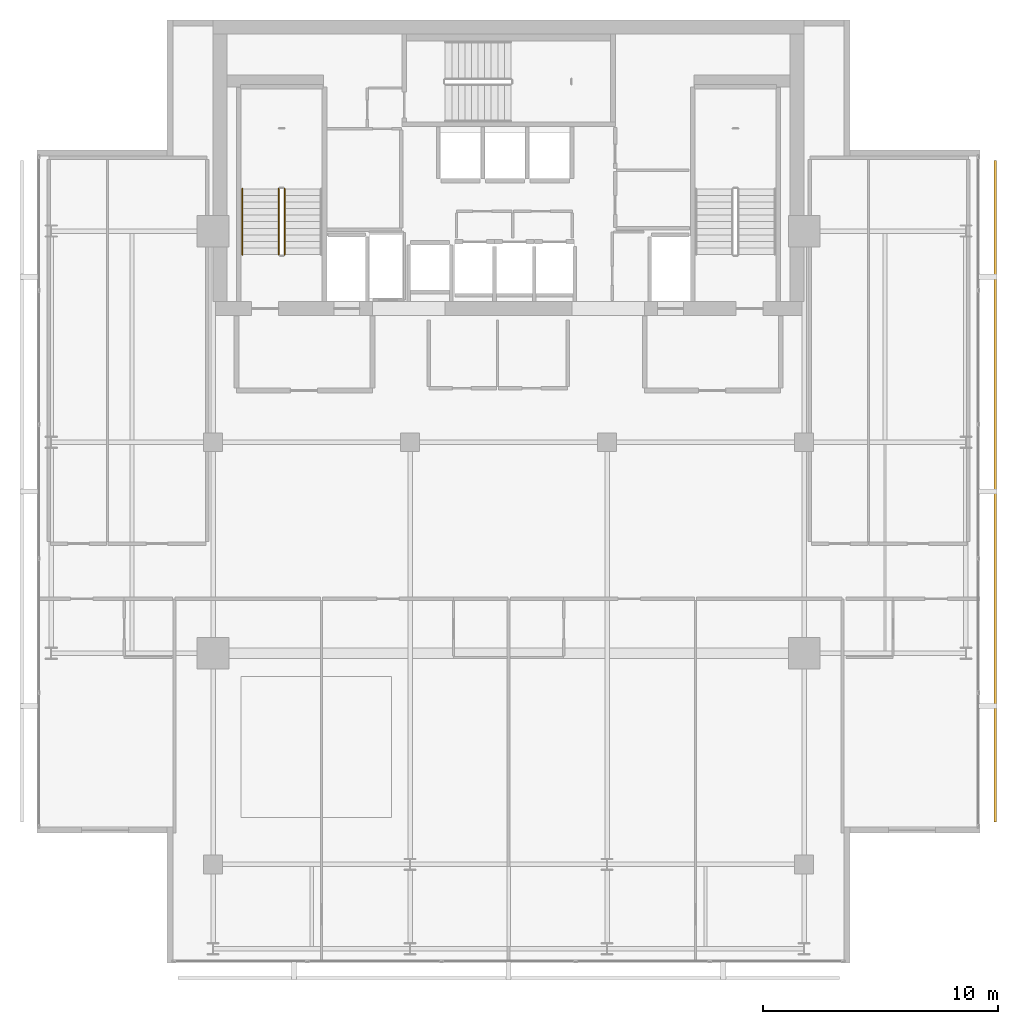
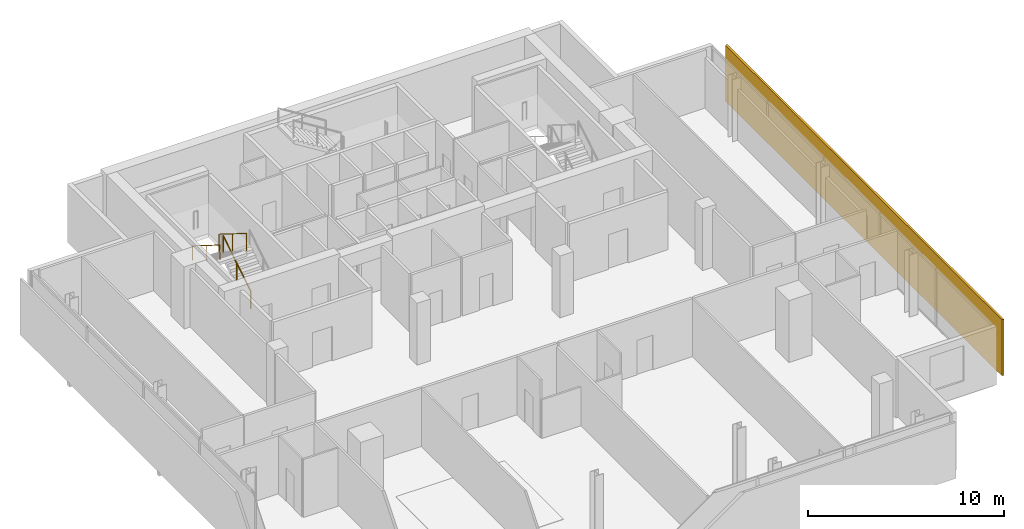
# One storey, part 22 of 23: 3 railings, 1 shading device.
"""IFC4 building model written with IfcOpenShell, lengths in metres."""

from ifc_helpers import new_model, si_unit, direction, frame, origin, origin_2d, place, context, subcontext, project, spatial, rectangle, circle, extrude, material, layer, layer_set, type_object, element, save


model = new_model("IFC4")

# Units and contexts
model_context = context("Model", 3, precision=1e-05, world=origin(), true_north=direction((0.0, 1.0)))
body_context = subcontext(model_context, "Body", "Model", "MODEL_VIEW")
ifc_project = project(units=[si_unit("LENGTHUNIT", "METRE"), si_unit("AREAUNIT", "SQUARE_METRE"), si_unit("VOLUMEUNIT", "CUBIC_METRE"), si_unit("PLANEANGLEUNIT", "RADIAN"), si_unit("MASSUNIT", "GRAM", prefix="KILO")], contexts=[model_context])

# Site, building, storey
site_placement = place(None, origin())
site = spatial("IfcSite", under=ifc_project, at=site_placement, CompositionType="ELEMENT")
building_placement = place(site_placement, origin())
building = spatial("IfcBuilding", under=site, at=building_placement, Name="Maruvema Waterfront Hotel and Observation Tower", CompositionType="ELEMENT")
storey_placement = place(building_placement, frame((0.0, 0.0, 337.39990234375)))
storey = spatial("IfcBuildingStorey", under=building, at=storey_placement, Name="L83", CompositionType="ELEMENT", Elevation=337.39990234375)

# Railings
ifc_material_1 = material(Name="Brushed stainless steel Grade 316", Category="steel")
railing_type_1 = type_object("IfcRailingType", Name="Ramp Continuous Wall Handrail 920 mm", PredefinedType="HANDRAIL", material=ifc_material_1)
railing_1_placement = place(storey_placement, frame((26.449951171875, 46.800048828125, 2.10009765625)))
element("IfcRailing", 1, at=railing_1_placement, inside=storey, type_object=railing_type_1, Name="L83 ST-01 stair handrail 2", PredefinedType="HANDRAIL", context=body_context, shape_type="SweptSolid", body=[
    extrude(circle(Radius=0.02392578125, at=origin_2d()), frame((0.0, 0.0, 0.89599609375), z_axis=(0.0, -0.848002457836, 0.529992293815), x_axis=(1.0, 0.0, 0.0)), (0.0, 0.0, 1.0), 3.302001953125),
    extrude(circle(Radius=0.02099609375, at=origin_2d()), origin(), (0.0, 0.0, 1.0), 0.871826171875),
    extrude(circle(Radius=0.02099609375, at=origin_2d()), frame((0.0, -1.39990234375, 0.875)), (0.0, 0.0, 1.0), 0.871826171875),
    extrude(circle(Radius=0.02099609375, at=origin_2d()), frame((0.0, -2.800048828125, 1.75)), (0.0, 0.0, 1.0), 0.871826171875),
])
ifc_material_2 = material(Name="Brushed stainless steel Grade 316", Category="steel")
railing_type_2 = type_object("IfcRailingType", Name="Ramp and Terrace Guard Balustrade 1100 mm", PredefinedType="BALUSTRADE", material=ifc_material_2)
railing_2_placement = place(storey_placement, frame((28.25, 44.0, 0.175048828125)))
element("IfcRailing", 2, at=railing_2_placement, inside=storey, type_object=railing_type_2, Name="L83 ST-01 stair guard 1", PredefinedType="BALUSTRADE", context=body_context, shape_type="SweptSolid", body=[
    extrude(circle(Radius=0.02392578125, at=origin_2d()), frame((0.0, 0.0, 1.076171875), z_axis=(0.0, 0.848002457836, 0.529992293815), x_axis=(-1.0, 0.0, 0.0)), (0.0, 0.0, 1.0), 3.302001953125),
    extrude(circle(Radius=0.02099609375, at=origin_2d()), origin(), (0.0, 0.0, 1.0), 1.052001953125),
    extrude(circle(Radius=0.02099609375, at=origin_2d()), frame((0.0, 1.39990234375, 0.875)), (0.0, 0.0, 1.0), 1.052001953125),
    extrude(circle(Radius=0.02099609375, at=origin_2d()), frame((0.0, 2.800048828125, 1.75)), (0.0, 0.0, 1.0), 1.052001953125),
])
railing_3_placement = place(storey_placement, frame((28.0, 46.800048828125, 2.10009765625)))
element("IfcRailing", 3, at=railing_3_placement, inside=storey, type_object=railing_type_2, Name="L83 ST-01 stair guard 3", PredefinedType="BALUSTRADE", context=body_context, shape_type="SweptSolid", body=[
    extrude(circle(Radius=0.02392578125, at=origin_2d()), frame((0.0, 0.0, 1.076171875), z_axis=(0.0, -0.848002457836, 0.529992293815), x_axis=(1.0, 0.0, 0.0)), (0.0, 0.0, 1.0), 3.302001953125),
    extrude(circle(Radius=0.02099609375, at=origin_2d()), origin(), (0.0, 0.0, 1.0), 1.052001953125),
    extrude(circle(Radius=0.02099609375, at=origin_2d()), frame((0.0, -1.39990234375, 0.875)), (0.0, 0.0, 1.0), 1.052001953125),
    extrude(circle(Radius=0.02099609375, at=origin_2d()), frame((0.0, -2.800048828125, 1.75)), (0.0, 0.0, 1.0), 1.052001953125),
])

# Shading device
ifc_material_3 = material(Name="Honed travertine stone and anodised architectural bronze", Category="masonry")
ifc_layer = layer(ifc_material_3, 0.1201171875, Name="Ventilated Outer Skin Cobogo Stone-and-Bronze Screen 120 mm")
ifc_layer_set = layer_set([ifc_layer], Name="Honed travertine stone and anodised architectural bronze")
shading_device_type = type_object("IfcShadingDeviceType", Name="Ventilated Outer Skin Cobogo Stone-and-Bronze Screen 120 mm", PredefinedType="USERDEFINED", material=ifc_layer_set)
shading_device_placement = place(storey_placement, frame((58.550048828125, 33.89990234375, 0.06005859375), z_axis=(0.0, 0.0, 1.0), x_axis=(0.0, 1.0, 0.0)))
element("IfcShadingDevice", 4, at=shading_device_placement, inside=storey, type_object=shading_device_type, Name="L83 Ventilated Double-Skin Outer Cobogo Screen OS-L83-E", ObjectType="OUTER SKIN SCREEN", PredefinedType="USERDEFINED", context=body_context, shape_type="SweptSolid", body=[
    extrude(rectangle(XDim=28.199951171875, YDim=0.1201171875, at=origin_2d()), origin(), (0.0, 0.0, 1.0), 3.489990234375),
])

save(model, "model.ifc")
